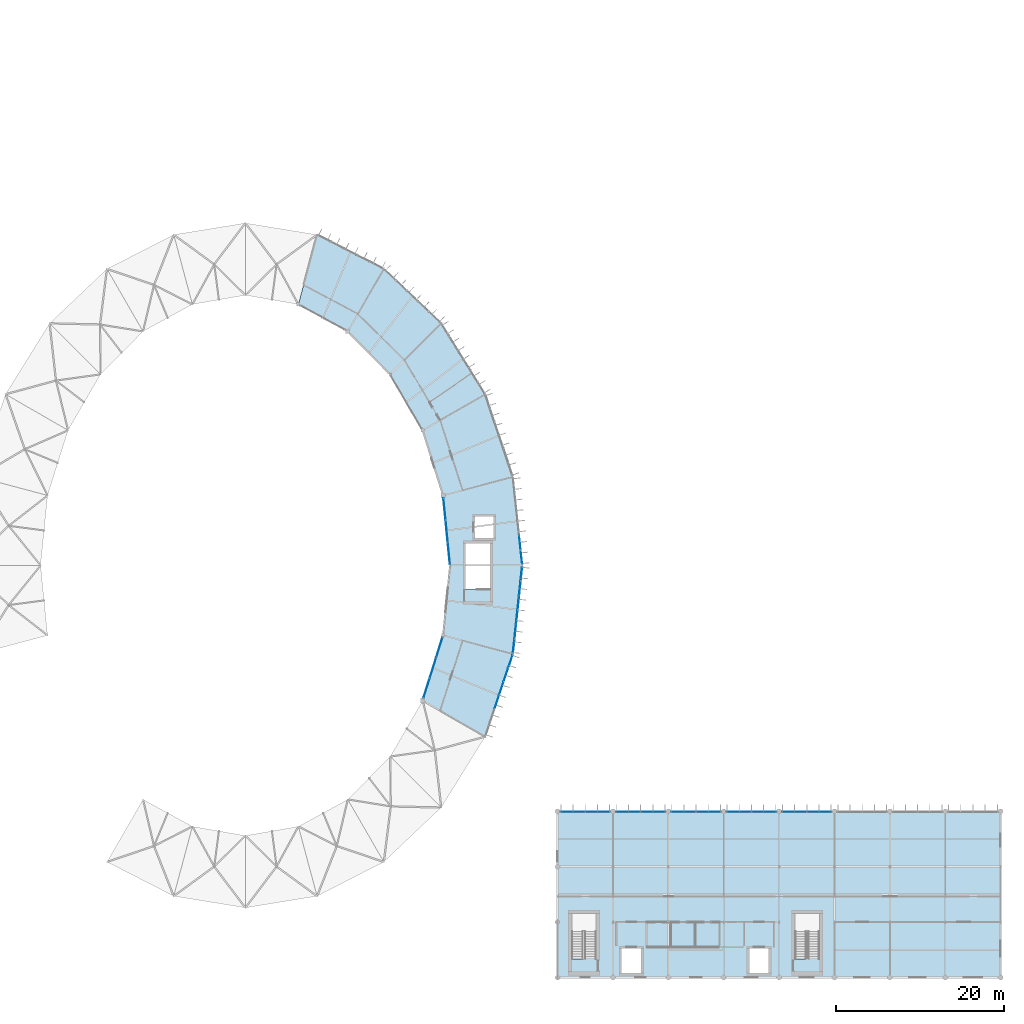
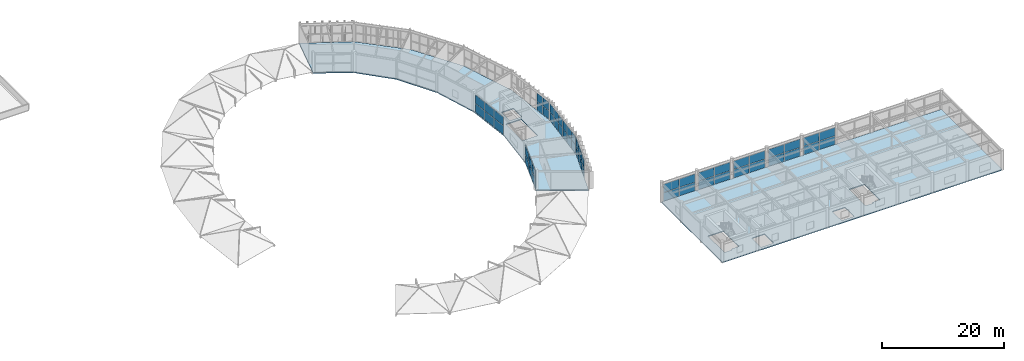
# One storey, part 46 of 66: 56 plates, 2 slabs, 10 elements without a shape of their own.
"""IFC4 building model written with IfcOpenShell, lengths in metres."""

from ifc_helpers import new_model, si_unit, direction, frame, origin, origin_2d, place, context, subcontext, project, spatial, polyline, rectangle, outline, extrude, material, layer, layer_set, type_object, element, aggregate, save


model = new_model("IFC4")

# Units and contexts
model_context = context("Model", 3, precision=1e-05, world=origin(), true_north=direction((0.0, 1.0)))
body_context = subcontext(model_context, "Body", "Model", "MODEL_VIEW")
ifc_project = project(units=[si_unit("LENGTHUNIT", "METRE"), si_unit("AREAUNIT", "SQUARE_METRE"), si_unit("VOLUMEUNIT", "CUBIC_METRE"), si_unit("PLANEANGLEUNIT", "RADIAN"), si_unit("MASSUNIT", "GRAM", prefix="KILO")], contexts=[model_context])

# Site, building, storey
site_placement = place(None, origin())
site = spatial("IfcSite", under=ifc_project, at=site_placement, CompositionType="ELEMENT")
building_placement = place(site_placement, origin())
building = spatial("IfcBuilding", under=site, at=building_placement, Name="Karori Crest Natural Sciences Institute", CompositionType="ELEMENT")
storey_placement = place(building_placement, frame((0.0, 0.0, 30.10009765625)))
storey = spatial("IfcBuildingStorey", under=building, at=storey_placement, Name="L07", CompositionType="ELEMENT", Elevation=30.10009765625)

# Curtain wall, plates
ifc_material_1 = material(Name="Anodised architectural aluminium 6063-T6", Category="aluminium")
curtain_wall_type_1 = type_object("IfcCurtainWallType", Name="CWT-13", PredefinedType="NOTDEFINED", material=ifc_material_1)
curtain_wall_1_placement = place(storey_placement, origin())
curtain_wall_1 = element("IfcCurtainWall", 1, at=curtain_wall_1_placement, inside=storey, type_object=curtain_wall_type_1, Name="Curtain wall CW-0241", PredefinedType="NOTDEFINED")
ifc_material_2 = material(Name="Double low-E laminated glass", Category="glass")
ifc_layer_1 = layer(ifc_material_2, 0.02392578125, Name="Double low-E laminated glass")
ifc_layer_set_1 = layer_set([ifc_layer_1], Name="Double low-E laminated glass")
plate_type_1 = type_object("IfcPlateType", Name="CWP-01", PredefinedType="CURTAIN_PANEL", material=ifc_layer_set_1)
plate_1_placement = place(storey_placement, frame((88.003173828125, 35.304443359375, 0.059814453125), z_axis=(0.0, 0.0, 1.0), x_axis=(0.299475254154, 0.954104067778, 0.0)))
plate_1 = element("IfcPlate", 2, at=plate_1_placement, type_object=plate_type_1, Name="CW-0241 panel 1.1", PredefinedType="CURTAIN_PANEL", context=body_context, shape_type="SweptSolid", body=[
    extrude(rectangle(XDim=2.451171875, YDim=0.02392578125, at=origin_2d()), origin(), (0.0, 0.0, 1.0), 1.7099609375),
])
plate_2_placement = place(storey_placement, frame((88.003173828125, 35.304443359375, 1.829833984375), z_axis=(0.0, 0.0, 1.0), x_axis=(0.299475254154, 0.954104067778, 0.0)))
plate_2 = element("IfcPlate", 3, at=plate_2_placement, type_object=plate_type_1, Name="CW-0241 panel 1.2", PredefinedType="CURTAIN_PANEL", context=body_context, shape_type="SweptSolid", body=[
    extrude(rectangle(XDim=2.451171875, YDim=0.02392578125, at=origin_2d()), origin(), (0.0, 0.0, 1.0), 1.7099609375),
])
plate_3_placement = place(storey_placement, frame((88.761474609375, 37.720458984375, 0.059814453125), z_axis=(0.0, 0.0, 1.0), x_axis=(0.299475254154, 0.954104067778, 0.0)))
plate_3 = element("IfcPlate", 4, at=plate_3_placement, type_object=plate_type_1, Name="CW-0241 panel 2.1", PredefinedType="CURTAIN_PANEL", context=body_context, shape_type="SweptSolid", body=[
    extrude(rectangle(XDim=2.483642578125, YDim=0.02392578125, at=origin_2d()), origin(), (0.0, 0.0, 1.0), 1.7099609375),
])
plate_4_placement = place(storey_placement, frame((88.761474609375, 37.720458984375, 1.829833984375), z_axis=(0.0, 0.0, 1.0), x_axis=(0.299475254154, 0.954104067778, 0.0)))
plate_4 = element("IfcPlate", 5, at=plate_4_placement, type_object=plate_type_1, Name="CW-0241 panel 2.2", PredefinedType="CURTAIN_PANEL", context=body_context, shape_type="SweptSolid", body=[
    extrude(rectangle(XDim=2.483642578125, YDim=0.02392578125, at=origin_2d()), origin(), (0.0, 0.0, 1.0), 1.7099609375),
])
plate_5_placement = place(storey_placement, frame((89.52001953125, 40.136474609375, 0.059814453125), z_axis=(0.0, 0.0, 1.0), x_axis=(0.299475254154, 0.954104067778, 0.0)))
plate_5 = element("IfcPlate", 6, at=plate_5_placement, type_object=plate_type_1, Name="CW-0241 panel 3.1", PredefinedType="CURTAIN_PANEL", context=body_context, shape_type="SweptSolid", body=[
    extrude(rectangle(XDim=2.451171875, YDim=0.02392578125, at=origin_2d()), origin(), (0.0, 0.0, 1.0), 1.7099609375),
])
plate_6_placement = place(storey_placement, frame((89.52001953125, 40.136474609375, 1.829833984375), z_axis=(0.0, 0.0, 1.0), x_axis=(0.299475254154, 0.954104067778, 0.0)))
plate_6 = element("IfcPlate", 7, at=plate_6_placement, type_object=plate_type_1, Name="CW-0241 panel 3.2", PredefinedType="CURTAIN_PANEL", context=body_context, shape_type="SweptSolid", body=[
    extrude(rectangle(XDim=2.451171875, YDim=0.02392578125, at=origin_2d()), origin(), (0.0, 0.0, 1.0), 1.7099609375),
])
aggregate(curtain_wall_1, [plate_1, plate_2, plate_3, plate_4, plate_5, plate_6])

curtain_wall_type_2 = type_object("IfcCurtainWallType", Name="CWT-01", PredefinedType="NOTDEFINED", material=ifc_material_1)
curtain_wall_2_placement = place(storey_placement, origin())
curtain_wall_2 = element("IfcCurtainWall", 8, at=curtain_wall_2_placement, inside=storey, type_object=curtain_wall_type_2, Name="Curtain wall CW-0243", PredefinedType="NOTDEFINED")
plate_7_placement = place(storey_placement, frame((99.112060546875, 52.604736328125, 0.06494140625), z_axis=(0.0, 0.0, 1.0), x_axis=(0.105884496939, -0.994378435661, 0.0)))
plate_7 = element("IfcPlate", 9, at=plate_7_placement, type_object=plate_type_1, Name="CW-0243 panel 5.1", PredefinedType="CURTAIN_PANEL", context=body_context, shape_type="SweptSolid", body=[
    extrude(rectangle(XDim=1.66259765625, YDim=0.02392578125, at=origin_2d()), origin(), (0.0, 0.0, 1.0), 1.6650390625),
])
plate_8_placement = place(storey_placement, frame((99.112060546875, 52.604736328125, 1.794921875), z_axis=(0.0, 0.0, 1.0), x_axis=(0.105884496939, -0.994378435661, 0.0)))
plate_8 = element("IfcPlate", 10, at=plate_8_placement, type_object=plate_type_1, Name="CW-0243 panel 5.2", PredefinedType="CURTAIN_PANEL", context=body_context, shape_type="SweptSolid", body=[
    extrude(rectangle(XDim=1.66259765625, YDim=0.02392578125, at=origin_2d()), origin(), (0.0, 0.0, 1.0), 1.6650390625),
])
plate_9_placement = place(storey_placement, frame((99.293212890625, 50.903076171875, 0.06494140625), z_axis=(0.0, 0.0, 1.0), x_axis=(0.105884496939, -0.994378435661, 0.0)))
plate_9 = element("IfcPlate", 11, at=plate_9_placement, type_object=plate_type_1, Name="CW-0243 panel 6.1", PredefinedType="CURTAIN_PANEL", context=body_context, shape_type="SweptSolid", body=[
    extrude(rectangle(XDim=1.630126953125, YDim=0.02392578125, at=origin_2d()), origin(), (0.0, 0.0, 1.0), 1.6650390625),
])
plate_10_placement = place(storey_placement, frame((99.293212890625, 50.903076171875, 1.794921875), z_axis=(0.0, 0.0, 1.0), x_axis=(0.105884496939, -0.994378435661, 0.0)))
plate_10 = element("IfcPlate", 12, at=plate_10_placement, type_object=plate_type_1, Name="CW-0243 panel 6.2", PredefinedType="CURTAIN_PANEL", context=body_context, shape_type="SweptSolid", body=[
    extrude(rectangle(XDim=1.630126953125, YDim=0.02392578125, at=origin_2d()), origin(), (0.0, 0.0, 1.0), 1.6650390625),
])
aggregate(curtain_wall_2, [plate_7, plate_8, plate_9, plate_10])

curtain_wall_type_3 = type_object("IfcCurtainWallType", Name="CWT-11", PredefinedType="NOTDEFINED", material=ifc_material_1)
curtain_wall_3_placement = place(storey_placement, origin())
curtain_wall_3 = element("IfcCurtainWall", 13, at=curtain_wall_3_placement, inside=storey, type_object=curtain_wall_type_3, Name="Curtain wall CW-0244", PredefinedType="NOTDEFINED")
plate_11_placement = place(storey_placement, frame((90.65576171875, 51.345458984375, 0.059814453125), z_axis=(0.0, 0.0, 1.0), x_axis=(-0.099268494275, 0.995060684604, 0.0)))
plate_11 = element("IfcPlate", 14, at=plate_11_placement, type_object=plate_type_1, Name="CW-0244 panel 1.1", PredefinedType="CURTAIN_PANEL", context=body_context, shape_type="SweptSolid", body=[
    extrude(rectangle(XDim=2.568359375, YDim=0.02392578125, at=origin_2d()), origin(), (0.0, 0.0, 1.0), 1.7099609375),
])
plate_12_placement = place(storey_placement, frame((90.65576171875, 51.345458984375, 1.829833984375), z_axis=(0.0, 0.0, 1.0), x_axis=(-0.099268494275, 0.995060684604, 0.0)))
plate_12 = element("IfcPlate", 15, at=plate_12_placement, type_object=plate_type_1, Name="CW-0244 panel 1.2", PredefinedType="CURTAIN_PANEL", context=body_context, shape_type="SweptSolid", body=[
    extrude(rectangle(XDim=2.568359375, YDim=0.02392578125, at=origin_2d()), origin(), (0.0, 0.0, 1.0), 1.7099609375),
])
plate_13_placement = place(storey_placement, frame((90.392822265625, 53.98193359375, 0.059814453125), z_axis=(0.0, 0.0, 1.0), x_axis=(-0.099268494275, 0.995060684604, 0.0)))
plate_13 = element("IfcPlate", 16, at=plate_13_placement, type_object=plate_type_1, Name="CW-0244 panel 2.1", PredefinedType="CURTAIN_PANEL", context=body_context, shape_type="SweptSolid", body=[
    extrude(rectangle(XDim=2.600830078125, YDim=0.02392578125, at=origin_2d()), origin(), (0.0, 0.0, 1.0), 1.7099609375),
])
plate_14_placement = place(storey_placement, frame((90.392822265625, 53.98193359375, 1.829833984375), z_axis=(0.0, 0.0, 1.0), x_axis=(-0.099268494275, 0.995060684604, 0.0)))
plate_14 = element("IfcPlate", 17, at=plate_14_placement, type_object=plate_type_1, Name="CW-0244 panel 2.2", PredefinedType="CURTAIN_PANEL", context=body_context, shape_type="SweptSolid", body=[
    extrude(rectangle(XDim=2.600830078125, YDim=0.02392578125, at=origin_2d()), origin(), (0.0, 0.0, 1.0), 1.7099609375),
])
plate_15_placement = place(storey_placement, frame((90.129638671875, 56.618408203125, 0.059814453125), z_axis=(0.0, 0.0, 1.0), x_axis=(-0.099268494275, 0.995060684604, 0.0)))
plate_15 = element("IfcPlate", 18, at=plate_15_placement, type_object=plate_type_1, Name="CW-0244 panel 3.1", PredefinedType="CURTAIN_PANEL", context=body_context, shape_type="SweptSolid", body=[
    extrude(rectangle(XDim=2.568359375, YDim=0.02392578125, at=origin_2d()), origin(), (0.0, 0.0, 1.0), 1.7099609375),
])
plate_16_placement = place(storey_placement, frame((90.129638671875, 56.618408203125, 1.829833984375), z_axis=(0.0, 0.0, 1.0), x_axis=(-0.099268494275, 0.995060684604, 0.0)))
plate_16 = element("IfcPlate", 19, at=plate_16_placement, type_object=plate_type_1, Name="CW-0244 panel 3.2", PredefinedType="CURTAIN_PANEL", context=body_context, shape_type="SweptSolid", body=[
    extrude(rectangle(XDim=2.568359375, YDim=0.02392578125, at=origin_2d()), origin(), (0.0, 0.0, 1.0), 1.7099609375),
])
aggregate(curtain_wall_3, [plate_11, plate_12, plate_13, plate_14, plate_15, plate_16])

curtain_wall_type_4 = type_object("IfcCurtainWallType", Name="CWT-20", PredefinedType="NOTDEFINED", material=ifc_material_1)
curtain_wall_4_placement = place(storey_placement, origin())
curtain_wall_4 = element("IfcCurtainWall", 20, at=curtain_wall_4_placement, inside=storey, type_object=curtain_wall_type_4, Name="Curtain wall CW-0357", PredefinedType="NOTDEFINED")
plate_17_placement = place(storey_placement, frame((105.415283203125, 20.5400390625, 0.059814453125), z_axis=(0.0, 0.0, 1.0), x_axis=(1.0, 0.0, 0.0)))
plate_17 = element("IfcPlate", 21, at=plate_17_placement, type_object=plate_type_1, Name="CW-0357 panel 1.1", PredefinedType="CURTAIN_PANEL", context=body_context, shape_type="SweptSolid", body=[
    extrude(rectangle(XDim=2.904541015625, YDim=0.02392578125, at=origin_2d()), origin(), (0.0, 0.0, 1.0), 1.66259765625),
])
plate_18_placement = place(storey_placement, frame((105.415283203125, 20.5400390625, 1.782470703125), z_axis=(0.0, 0.0, 1.0), x_axis=(1.0, 0.0, 0.0)))
plate_18 = element("IfcPlate", 22, at=plate_18_placement, type_object=plate_type_1, Name="CW-0357 panel 1.2", PredefinedType="CURTAIN_PANEL", context=body_context, shape_type="SweptSolid", body=[
    extrude(rectangle(XDim=2.904541015625, YDim=0.02392578125, at=origin_2d()), origin(), (0.0, 0.0, 1.0), 1.66259765625),
])
plate_19_placement = place(storey_placement, frame((108.384765625, 20.5400390625, 0.059814453125), z_axis=(0.0, 0.0, 1.0), x_axis=(1.0, 0.0, 0.0)))
plate_19 = element("IfcPlate", 23, at=plate_19_placement, type_object=plate_type_1, Name="CW-0357 panel 2.1", PredefinedType="CURTAIN_PANEL", context=body_context, shape_type="SweptSolid", body=[
    extrude(rectangle(XDim=2.904541015625, YDim=0.02392578125, at=origin_2d()), origin(), (0.0, 0.0, 1.0), 1.66259765625),
])
plate_20_placement = place(storey_placement, frame((108.384765625, 20.5400390625, 1.782470703125), z_axis=(0.0, 0.0, 1.0), x_axis=(1.0, 0.0, 0.0)))
plate_20 = element("IfcPlate", 24, at=plate_20_placement, type_object=plate_type_1, Name="CW-0357 panel 2.2", PredefinedType="CURTAIN_PANEL", context=body_context, shape_type="SweptSolid", body=[
    extrude(rectangle(XDim=2.904541015625, YDim=0.02392578125, at=origin_2d()), origin(), (0.0, 0.0, 1.0), 1.66259765625),
])
aggregate(curtain_wall_4, [plate_17, plate_18, plate_19, plate_20])

curtain_wall_5_placement = place(storey_placement, origin())
curtain_wall_5 = element("IfcCurtainWall", 25, at=curtain_wall_5_placement, inside=storey, type_object=curtain_wall_type_4, Name="Curtain wall CW-0358", PredefinedType="NOTDEFINED")
plate_21_placement = place(storey_placement, frame((112.01513671875, 20.5400390625, 0.059814453125), z_axis=(0.0, 0.0, 1.0), x_axis=(1.0, 0.0, 0.0)))
plate_21 = element("IfcPlate", 26, at=plate_21_placement, type_object=plate_type_1, Name="CW-0358 panel 1.1", PredefinedType="CURTAIN_PANEL", context=body_context, shape_type="SweptSolid", body=[
    extrude(rectangle(XDim=2.904541015625, YDim=0.02392578125, at=origin_2d()), origin(), (0.0, 0.0, 1.0), 1.66259765625),
])
plate_22_placement = place(storey_placement, frame((112.01513671875, 20.5400390625, 1.782470703125), z_axis=(0.0, 0.0, 1.0), x_axis=(1.0, 0.0, 0.0)))
plate_22 = element("IfcPlate", 27, at=plate_22_placement, type_object=plate_type_1, Name="CW-0358 panel 1.2", PredefinedType="CURTAIN_PANEL", context=body_context, shape_type="SweptSolid", body=[
    extrude(rectangle(XDim=2.904541015625, YDim=0.02392578125, at=origin_2d()), origin(), (0.0, 0.0, 1.0), 1.66259765625),
])
plate_23_placement = place(storey_placement, frame((114.98486328125, 20.5400390625, 0.059814453125), z_axis=(0.0, 0.0, 1.0), x_axis=(1.0, 0.0, 0.0)))
plate_23 = element("IfcPlate", 28, at=plate_23_placement, type_object=plate_type_1, Name="CW-0358 panel 2.1", PredefinedType="CURTAIN_PANEL", context=body_context, shape_type="SweptSolid", body=[
    extrude(rectangle(XDim=2.904541015625, YDim=0.02392578125, at=origin_2d()), origin(), (0.0, 0.0, 1.0), 1.66259765625),
])
plate_24_placement = place(storey_placement, frame((114.98486328125, 20.5400390625, 1.782470703125), z_axis=(0.0, 0.0, 1.0), x_axis=(1.0, 0.0, 0.0)))
plate_24 = element("IfcPlate", 29, at=plate_24_placement, type_object=plate_type_1, Name="CW-0358 panel 2.2", PredefinedType="CURTAIN_PANEL", context=body_context, shape_type="SweptSolid", body=[
    extrude(rectangle(XDim=2.904541015625, YDim=0.02392578125, at=origin_2d()), origin(), (0.0, 0.0, 1.0), 1.66259765625),
])
aggregate(curtain_wall_5, [plate_21, plate_22, plate_23, plate_24])

curtain_wall_6_placement = place(storey_placement, origin())
curtain_wall_6 = element("IfcCurtainWall", 30, at=curtain_wall_6_placement, inside=storey, type_object=curtain_wall_type_4, Name="Curtain wall CW-0359", PredefinedType="NOTDEFINED")
plate_25_placement = place(storey_placement, frame((118.615234375, 20.5400390625, 0.059814453125), z_axis=(0.0, 0.0, 1.0), x_axis=(1.0, 0.0, 0.0)))
plate_25 = element("IfcPlate", 31, at=plate_25_placement, type_object=plate_type_1, Name="CW-0359 panel 1.1", PredefinedType="CURTAIN_PANEL", context=body_context, shape_type="SweptSolid", body=[
    extrude(rectangle(XDim=2.904541015625, YDim=0.02392578125, at=origin_2d()), origin(), (0.0, 0.0, 1.0), 1.66259765625),
])
plate_26_placement = place(storey_placement, frame((118.615234375, 20.5400390625, 1.782470703125), z_axis=(0.0, 0.0, 1.0), x_axis=(1.0, 0.0, 0.0)))
plate_26 = element("IfcPlate", 32, at=plate_26_placement, type_object=plate_type_1, Name="CW-0359 panel 1.2", PredefinedType="CURTAIN_PANEL", context=body_context, shape_type="SweptSolid", body=[
    extrude(rectangle(XDim=2.904541015625, YDim=0.02392578125, at=origin_2d()), origin(), (0.0, 0.0, 1.0), 1.66259765625),
])
plate_27_placement = place(storey_placement, frame((121.584716796875, 20.5400390625, 0.059814453125), z_axis=(0.0, 0.0, 1.0), x_axis=(1.0, 0.0, 0.0)))
plate_27 = element("IfcPlate", 33, at=plate_27_placement, type_object=plate_type_1, Name="CW-0359 panel 2.1", PredefinedType="CURTAIN_PANEL", context=body_context, shape_type="SweptSolid", body=[
    extrude(rectangle(XDim=2.904541015625, YDim=0.02392578125, at=origin_2d()), origin(), (0.0, 0.0, 1.0), 1.66259765625),
])
plate_28_placement = place(storey_placement, frame((121.584716796875, 20.5400390625, 1.782470703125), z_axis=(0.0, 0.0, 1.0), x_axis=(1.0, 0.0, 0.0)))
plate_28 = element("IfcPlate", 34, at=plate_28_placement, type_object=plate_type_1, Name="CW-0359 panel 2.2", PredefinedType="CURTAIN_PANEL", context=body_context, shape_type="SweptSolid", body=[
    extrude(rectangle(XDim=2.904541015625, YDim=0.02392578125, at=origin_2d()), origin(), (0.0, 0.0, 1.0), 1.66259765625),
])
aggregate(curtain_wall_6, [plate_25, plate_26, plate_27, plate_28])

curtain_wall_7_placement = place(storey_placement, origin())
curtain_wall_7 = element("IfcCurtainWall", 35, at=curtain_wall_7_placement, inside=storey, type_object=curtain_wall_type_4, Name="Curtain wall CW-0360", PredefinedType="NOTDEFINED")
plate_29_placement = place(storey_placement, frame((125.21533203125, 20.5400390625, 0.059814453125), z_axis=(0.0, 0.0, 1.0), x_axis=(1.0, 0.0, 0.0)))
plate_29 = element("IfcPlate", 36, at=plate_29_placement, type_object=plate_type_1, Name="CW-0360 panel 1.1", PredefinedType="CURTAIN_PANEL", context=body_context, shape_type="SweptSolid", body=[
    extrude(rectangle(XDim=2.904541015625, YDim=0.02392578125, at=origin_2d()), origin(), (0.0, 0.0, 1.0), 1.66259765625),
])
plate_30_placement = place(storey_placement, frame((125.21533203125, 20.5400390625, 1.782470703125), z_axis=(0.0, 0.0, 1.0), x_axis=(1.0, 0.0, 0.0)))
plate_30 = element("IfcPlate", 37, at=plate_30_placement, type_object=plate_type_1, Name="CW-0360 panel 1.2", PredefinedType="CURTAIN_PANEL", context=body_context, shape_type="SweptSolid", body=[
    extrude(rectangle(XDim=2.904541015625, YDim=0.02392578125, at=origin_2d()), origin(), (0.0, 0.0, 1.0), 1.66259765625),
])
plate_31_placement = place(storey_placement, frame((128.184814453125, 20.5400390625, 0.059814453125), z_axis=(0.0, 0.0, 1.0), x_axis=(1.0, 0.0, 0.0)))
plate_31 = element("IfcPlate", 38, at=plate_31_placement, type_object=plate_type_1, Name="CW-0360 panel 2.1", PredefinedType="CURTAIN_PANEL", context=body_context, shape_type="SweptSolid", body=[
    extrude(rectangle(XDim=2.904541015625, YDim=0.02392578125, at=origin_2d()), origin(), (0.0, 0.0, 1.0), 1.66259765625),
])
plate_32_placement = place(storey_placement, frame((128.184814453125, 20.5400390625, 1.782470703125), z_axis=(0.0, 0.0, 1.0), x_axis=(1.0, 0.0, 0.0)))
plate_32 = element("IfcPlate", 39, at=plate_32_placement, type_object=plate_type_1, Name="CW-0360 panel 2.2", PredefinedType="CURTAIN_PANEL", context=body_context, shape_type="SweptSolid", body=[
    extrude(rectangle(XDim=2.904541015625, YDim=0.02392578125, at=origin_2d()), origin(), (0.0, 0.0, 1.0), 1.66259765625),
])
aggregate(curtain_wall_7, [plate_29, plate_30, plate_31, plate_32])

curtain_wall_8_placement = place(storey_placement, origin())
curtain_wall_8 = element("IfcCurtainWall", 40, at=curtain_wall_8_placement, inside=storey, type_object=curtain_wall_type_4, Name="Curtain wall CW-0361", PredefinedType="NOTDEFINED")
plate_33_placement = place(storey_placement, frame((131.815185546875, 20.5400390625, 0.059814453125), z_axis=(0.0, 0.0, 1.0), x_axis=(1.0, 0.0, 0.0)))
plate_33 = element("IfcPlate", 41, at=plate_33_placement, type_object=plate_type_1, Name="CW-0361 panel 1.1", PredefinedType="CURTAIN_PANEL", context=body_context, shape_type="SweptSolid", body=[
    extrude(rectangle(XDim=2.904541015625, YDim=0.02392578125, at=origin_2d()), origin(), (0.0, 0.0, 1.0), 1.66259765625),
])
plate_34_placement = place(storey_placement, frame((131.815185546875, 20.5400390625, 1.782470703125), z_axis=(0.0, 0.0, 1.0), x_axis=(1.0, 0.0, 0.0)))
plate_34 = element("IfcPlate", 42, at=plate_34_placement, type_object=plate_type_1, Name="CW-0361 panel 1.2", PredefinedType="CURTAIN_PANEL", context=body_context, shape_type="SweptSolid", body=[
    extrude(rectangle(XDim=2.904541015625, YDim=0.02392578125, at=origin_2d()), origin(), (0.0, 0.0, 1.0), 1.66259765625),
])
plate_35_placement = place(storey_placement, frame((134.78466796875, 20.5400390625, 0.059814453125), z_axis=(0.0, 0.0, 1.0), x_axis=(1.0, 0.0, 0.0)))
plate_35 = element("IfcPlate", 43, at=plate_35_placement, type_object=plate_type_1, Name="CW-0361 panel 2.1", PredefinedType="CURTAIN_PANEL", context=body_context, shape_type="SweptSolid", body=[
    extrude(rectangle(XDim=2.904541015625, YDim=0.02392578125, at=origin_2d()), origin(), (0.0, 0.0, 1.0), 1.66259765625),
])
plate_36_placement = place(storey_placement, frame((134.78466796875, 20.5400390625, 1.782470703125), z_axis=(0.0, 0.0, 1.0), x_axis=(1.0, 0.0, 0.0)))
plate_36 = element("IfcPlate", 44, at=plate_36_placement, type_object=plate_type_1, Name="CW-0361 panel 2.2", PredefinedType="CURTAIN_PANEL", context=body_context, shape_type="SweptSolid", body=[
    extrude(rectangle(XDim=2.904541015625, YDim=0.02392578125, at=origin_2d()), origin(), (0.0, 0.0, 1.0), 1.66259765625),
])
aggregate(curtain_wall_8, [plate_33, plate_34, plate_35, plate_36])

curtain_wall_type_5 = type_object("IfcCurtainWallType", Name="CWT-03", PredefinedType="NOTDEFINED", material=ifc_material_1)
curtain_wall_9_placement = place(storey_placement, origin())
curtain_wall_9 = element("IfcCurtainWall", 45, at=curtain_wall_9_placement, inside=storey, type_object=curtain_wall_type_5, Name="Curtain wall CW-0240", PredefinedType="NOTDEFINED")
ifc_layer_2 = layer(ifc_material_2, 0.033935546875, Name="Double low-E laminated glass")
ifc_layer_set_2 = layer_set([ifc_layer_2], Name="Double low-E laminated glass")
plate_type_2 = type_object("IfcPlateType", Name="CWP-02", PredefinedType="CURTAIN_PANEL", material=ifc_layer_set_2)
plate_37_placement = place(storey_placement, frame((97.974853515625, 38.442626953125, 0.06494140625), z_axis=(0.0, 0.0, 1.0), x_axis=(-0.317679803392, -0.94819805026, 0.0)))
plate_37 = element("IfcPlate", 46, at=plate_37_placement, type_object=plate_type_2, Name="CW-0240 panel 1.1", PredefinedType="CURTAIN_PANEL", context=body_context, shape_type="SweptSolid", body=[
    extrude(rectangle(XDim=1.59619140625, YDim=0.033935546875, at=origin_2d()), origin(), (0.0, 0.0, 1.0), 1.6650390625),
])
plate_38_placement = place(storey_placement, frame((97.974853515625, 38.442626953125, 1.794921875), z_axis=(0.0, 0.0, 1.0), x_axis=(-0.317679803392, -0.94819805026, 0.0)))
plate_38 = element("IfcPlate", 47, at=plate_38_placement, type_object=plate_type_2, Name="CW-0240 panel 1.2", PredefinedType="CURTAIN_PANEL", context=body_context, shape_type="SweptSolid", body=[
    extrude(rectangle(XDim=1.59619140625, YDim=0.033935546875, at=origin_2d()), origin(), (0.0, 0.0, 1.0), 1.6650390625),
])
plate_39_placement = place(storey_placement, frame((97.44189453125, 36.85205078125, 0.06494140625), z_axis=(0.0, 0.0, 1.0), x_axis=(-0.317679803392, -0.94819805026, 0.0)))
plate_39 = element("IfcPlate", 48, at=plate_39_placement, type_object=plate_type_2, Name="CW-0240 panel 2.1", PredefinedType="CURTAIN_PANEL", context=body_context, shape_type="SweptSolid", body=[
    extrude(rectangle(XDim=1.628662109375, YDim=0.033935546875, at=origin_2d()), origin(), (0.0, 0.0, 1.0), 1.6650390625),
])
plate_40_placement = place(storey_placement, frame((97.44189453125, 36.85205078125, 1.794921875), z_axis=(0.0, 0.0, 1.0), x_axis=(-0.317679803392, -0.94819805026, 0.0)))
plate_40 = element("IfcPlate", 49, at=plate_40_placement, type_object=plate_type_2, Name="CW-0240 panel 2.2", PredefinedType="CURTAIN_PANEL", context=body_context, shape_type="SweptSolid", body=[
    extrude(rectangle(XDim=1.628662109375, YDim=0.033935546875, at=origin_2d()), origin(), (0.0, 0.0, 1.0), 1.6650390625),
])
plate_41_placement = place(storey_placement, frame((96.904052734375, 35.24609375, 0.06494140625), z_axis=(0.0, 0.0, 1.0), x_axis=(-0.317679803392, -0.94819805026, 0.0)))
plate_41 = element("IfcPlate", 50, at=plate_41_placement, type_object=plate_type_2, Name="CW-0240 panel 3.1", PredefinedType="CURTAIN_PANEL", context=body_context, shape_type="SweptSolid", body=[
    extrude(rectangle(XDim=1.628662109375, YDim=0.033935546875, at=origin_2d()), origin(), (0.0, 0.0, 1.0), 1.6650390625),
])
plate_42_placement = place(storey_placement, frame((96.904052734375, 35.24609375, 1.794921875), z_axis=(0.0, 0.0, 1.0), x_axis=(-0.317679803392, -0.94819805026, 0.0)))
plate_42 = element("IfcPlate", 51, at=plate_42_placement, type_object=plate_type_2, Name="CW-0240 panel 3.2", PredefinedType="CURTAIN_PANEL", context=body_context, shape_type="SweptSolid", body=[
    extrude(rectangle(XDim=1.628662109375, YDim=0.033935546875, at=origin_2d()), origin(), (0.0, 0.0, 1.0), 1.6650390625),
])
plate_43_placement = place(storey_placement, frame((96.365966796875, 33.64013671875, 0.06494140625), z_axis=(0.0, 0.0, 1.0), x_axis=(-0.317679803392, -0.94819805026, 0.0)))
plate_43 = element("IfcPlate", 52, at=plate_43_placement, type_object=plate_type_2, Name="CW-0240 panel 4.1", PredefinedType="CURTAIN_PANEL", context=body_context, shape_type="SweptSolid", body=[
    extrude(rectangle(XDim=1.628662109375, YDim=0.033935546875, at=origin_2d()), origin(), (0.0, 0.0, 1.0), 1.6650390625),
])
plate_44_placement = place(storey_placement, frame((96.365966796875, 33.64013671875, 1.794921875), z_axis=(0.0, 0.0, 1.0), x_axis=(-0.317679803392, -0.94819805026, 0.0)))
plate_44 = element("IfcPlate", 53, at=plate_44_placement, type_object=plate_type_2, Name="CW-0240 panel 4.2", PredefinedType="CURTAIN_PANEL", context=body_context, shape_type="SweptSolid", body=[
    extrude(rectangle(XDim=1.628662109375, YDim=0.033935546875, at=origin_2d()), origin(), (0.0, 0.0, 1.0), 1.6650390625),
])
aggregate(curtain_wall_9, [plate_37, plate_38, plate_39, plate_40, plate_41, plate_42, plate_43, plate_44])

curtain_wall_type_6 = type_object("IfcCurtainWallType", Name="CWT-04", PredefinedType="NOTDEFINED", material=ifc_material_1)
curtain_wall_10_placement = place(storey_placement, origin())
curtain_wall_10 = element("IfcCurtainWall", 54, at=curtain_wall_10_placement, inside=storey, type_object=curtain_wall_type_6, Name="Curtain wall CW-0242", PredefinedType="NOTDEFINED")
ifc_layer_3 = layer(ifc_material_2, 0.0439453125, Name="Double low-E laminated glass")
ifc_layer_set_3 = layer_set([ifc_layer_3], Name="Double low-E laminated glass")
plate_type_3 = type_object("IfcPlateType", Name="CWP-03", PredefinedType="CURTAIN_PANEL", material=ifc_layer_set_3)
plate_45_placement = place(storey_placement, frame((99.292724609375, 48.89306640625, 0.06005859375), z_axis=(0.0, 0.0, 1.0), x_axis=(-0.105885677057, -0.994378309998, 0.0)))
plate_45 = element("IfcPlate", 55, at=plate_45_placement, type_object=plate_type_3, Name="CW-0242 panel 1.1", PredefinedType="CURTAIN_PANEL", context=body_context, shape_type="SweptSolid", body=[
    extrude(rectangle(XDim=1.6376953125, YDim=0.0439453125, at=origin_2d()), origin(), (0.0, 0.0, 1.0), 1.672607421875),
])
plate_46_placement = place(storey_placement, frame((99.292724609375, 48.89306640625, 1.79248046875), z_axis=(0.0, 0.0, 1.0), x_axis=(-0.105885677057, -0.994378309998, 0.0)))
plate_46 = element("IfcPlate", 56, at=plate_46_placement, type_object=plate_type_3, Name="CW-0242 panel 1.2", PredefinedType="CURTAIN_PANEL", context=body_context, shape_type="SweptSolid", body=[
    extrude(rectangle(XDim=1.6376953125, YDim=0.0439453125, at=origin_2d()), origin(), (0.0, 0.0, 1.0), 1.672607421875),
])
plate_47_placement = place(storey_placement, frame((99.11083984375, 47.183837890625, 0.06005859375), z_axis=(0.0, 0.0, 1.0), x_axis=(-0.105885677057, -0.994378309998, 0.0)))
plate_47 = element("IfcPlate", 57, at=plate_47_placement, type_object=plate_type_3, Name="CW-0242 panel 2.1", PredefinedType="CURTAIN_PANEL", context=body_context, shape_type="SweptSolid", body=[
    extrude(rectangle(XDim=1.670166015625, YDim=0.0439453125, at=origin_2d()), origin(), (0.0, 0.0, 1.0), 1.672607421875),
])
plate_48_placement = place(storey_placement, frame((99.11083984375, 47.183837890625, 1.79248046875), z_axis=(0.0, 0.0, 1.0), x_axis=(-0.105885677057, -0.994378309998, 0.0)))
plate_48 = element("IfcPlate", 58, at=plate_48_placement, type_object=plate_type_3, Name="CW-0242 panel 2.2", PredefinedType="CURTAIN_PANEL", context=body_context, shape_type="SweptSolid", body=[
    extrude(rectangle(XDim=1.670166015625, YDim=0.0439453125, at=origin_2d()), origin(), (0.0, 0.0, 1.0), 1.672607421875),
])
plate_49_placement = place(storey_placement, frame((98.927001953125, 45.45849609375, 0.06005859375), z_axis=(0.0, 0.0, 1.0), x_axis=(-0.105885677057, -0.994378309998, 0.0)))
plate_49 = element("IfcPlate", 59, at=plate_49_placement, type_object=plate_type_3, Name="CW-0242 panel 3.1", PredefinedType="CURTAIN_PANEL", context=body_context, shape_type="SweptSolid", body=[
    extrude(rectangle(XDim=1.670166015625, YDim=0.0439453125, at=origin_2d()), origin(), (0.0, 0.0, 1.0), 1.672607421875),
])
plate_50_placement = place(storey_placement, frame((98.927001953125, 45.45849609375, 1.79248046875), z_axis=(0.0, 0.0, 1.0), x_axis=(-0.105885677057, -0.994378309998, 0.0)))
plate_50 = element("IfcPlate", 60, at=plate_50_placement, type_object=plate_type_3, Name="CW-0242 panel 3.2", PredefinedType="CURTAIN_PANEL", context=body_context, shape_type="SweptSolid", body=[
    extrude(rectangle(XDim=1.670166015625, YDim=0.0439453125, at=origin_2d()), origin(), (0.0, 0.0, 1.0), 1.672607421875),
])
plate_51_placement = place(storey_placement, frame((98.743408203125, 43.73291015625, 0.06005859375), z_axis=(0.0, 0.0, 1.0), x_axis=(-0.105885677057, -0.994378309998, 0.0)))
plate_51 = element("IfcPlate", 61, at=plate_51_placement, type_object=plate_type_3, Name="CW-0242 panel 4.1", PredefinedType="CURTAIN_PANEL", context=body_context, shape_type="SweptSolid", body=[
    extrude(rectangle(XDim=1.670166015625, YDim=0.0439453125, at=origin_2d()), origin(), (0.0, 0.0, 1.0), 1.672607421875),
])
plate_52_placement = place(storey_placement, frame((98.743408203125, 43.73291015625, 1.79248046875), z_axis=(0.0, 0.0, 1.0), x_axis=(-0.105885677057, -0.994378309998, 0.0)))
plate_52 = element("IfcPlate", 62, at=plate_52_placement, type_object=plate_type_3, Name="CW-0242 panel 4.2", PredefinedType="CURTAIN_PANEL", context=body_context, shape_type="SweptSolid", body=[
    extrude(rectangle(XDim=1.670166015625, YDim=0.0439453125, at=origin_2d()), origin(), (0.0, 0.0, 1.0), 1.672607421875),
])
plate_53_placement = place(storey_placement, frame((98.5595703125, 42.007568359375, 0.06005859375), z_axis=(0.0, 0.0, 1.0), x_axis=(-0.105885677057, -0.994378309998, 0.0)))
plate_53 = element("IfcPlate", 63, at=plate_53_placement, type_object=plate_type_3, Name="CW-0242 panel 5.1", PredefinedType="CURTAIN_PANEL", context=body_context, shape_type="SweptSolid", body=[
    extrude(rectangle(XDim=1.670166015625, YDim=0.0439453125, at=origin_2d()), origin(), (0.0, 0.0, 1.0), 1.672607421875),
])
plate_54_placement = place(storey_placement, frame((98.5595703125, 42.007568359375, 1.79248046875), z_axis=(0.0, 0.0, 1.0), x_axis=(-0.105885677057, -0.994378309998, 0.0)))
plate_54 = element("IfcPlate", 64, at=plate_54_placement, type_object=plate_type_3, Name="CW-0242 panel 5.2", PredefinedType="CURTAIN_PANEL", context=body_context, shape_type="SweptSolid", body=[
    extrude(rectangle(XDim=1.670166015625, YDim=0.0439453125, at=origin_2d()), origin(), (0.0, 0.0, 1.0), 1.672607421875),
])
plate_55_placement = place(storey_placement, frame((98.377685546875, 40.298095703125, 0.06005859375), z_axis=(0.0, 0.0, 1.0), x_axis=(-0.105885677057, -0.994378309998, 0.0)))
plate_55 = element("IfcPlate", 65, at=plate_55_placement, type_object=plate_type_3, Name="CW-0242 panel 6.1", PredefinedType="CURTAIN_PANEL", context=body_context, shape_type="SweptSolid", body=[
    extrude(rectangle(XDim=1.6376953125, YDim=0.0439453125, at=origin_2d()), origin(), (0.0, 0.0, 1.0), 1.672607421875),
])
plate_56_placement = place(storey_placement, frame((98.377685546875, 40.298095703125, 1.79248046875), z_axis=(0.0, 0.0, 1.0), x_axis=(-0.105885677057, -0.994378309998, 0.0)))
plate_56 = element("IfcPlate", 66, at=plate_56_placement, type_object=plate_type_3, Name="CW-0242 panel 6.2", PredefinedType="CURTAIN_PANEL", context=body_context, shape_type="SweptSolid", body=[
    extrude(rectangle(XDim=1.6376953125, YDim=0.0439453125, at=origin_2d()), origin(), (0.0, 0.0, 1.0), 1.672607421875),
])
aggregate(curtain_wall_10, [plate_45, plate_46, plate_47, plate_48, plate_49, plate_50, plate_51, plate_52, plate_53, plate_54, plate_55, plate_56])

# Slabs
ifc_material_3 = material(Name="Concrete 40 MPa", Category="concrete")
ifc_layer_4 = layer(ifc_material_3, 0.199951171875, Name="Concrete 40 MPa")
ifc_layer_set_4 = layer_set([ifc_layer_4], Name="Concrete 40 MPa")
slab_type_1 = type_object("IfcSlabType", Name="SLT-08", PredefinedType="FLOOR", material=ifc_layer_set_4)
slab_1_placement = place(storey_placement, frame((0.0, 0.0, -0.2001953125)))
element("IfcSlab", 67, at=slab_1_placement, inside=storey, type_object=slab_type_1, Name="V1 Slab SL-0009", PredefinedType="FLOOR", context=body_context, shape_type="SweptSolid", body=[
    extrude(outline(polyline([(94.978759765625, 29.5), (98.275634765625, 39.340087890625), (99.39990234375, 49.89990234375), (98.275634765625, 60.459716796875), (94.978759765625, 70.300048828125), (89.734619140625, 78.75), (82.89990234375, 85.23388671875), (74.94091796875, 89.309814453125), (72.715087890625, 81.002685546875), (78.60009765625, 77.785888671875), (83.6533203125, 72.668701171875), (87.531005859375, 66.0), (89.968505859375, 58.23388671875), (90.800048828125, 49.89990234375), (89.968505859375, 41.56591796875), (87.531005859375, 33.800048828125), (94.978759765625, 29.5)]), holes=[polyline([(95.550048828125, 47.1005859375), (92.64990234375, 47.1005859375), (92.64990234375, 52.5), (95.550048828125, 52.5), (95.550048828125, 47.1005859375)]), polyline([(93.72509765625, 55.77490234375), (95.97509765625, 55.77490234375), (95.97509765625, 53.02490234375), (93.72509765625, 53.02490234375), (93.72509765625, 55.77490234375)])]), origin(), (0.0, 0.0, 1.0), 0.2001953125),
])
ifc_layer_5 = layer(ifc_material_3, 0.179931640625, Name="Concrete 40 MPa")
ifc_layer_set_5 = layer_set([ifc_layer_5], Name="Concrete 40 MPa")
slab_type_2 = type_object("IfcSlabType", Name="SLT-09", PredefinedType="FLOOR", material=ifc_layer_set_5)
slab_2_placement = place(storey_placement, frame((0.0, 0.0, -0.18017578125)))
element("IfcSlab", 68, at=slab_2_placement, inside=storey, type_object=slab_type_2, Name="V5 Slab SL-0171", PredefinedType="FLOOR", context=body_context, shape_type="SweptSolid", body=[
    extrude(outline(polyline([(103.60009765625, 0.800048828125), (156.39990234375, 0.800048828125), (156.39990234375, 20.60009765625), (103.60009765625, 20.60009765625), (103.60009765625, 0.800048828125)]), holes=[polyline([(108.199951171875, 3.280029296875), (106.75, 3.280029296875), (106.75, 3.00048828125), (105.300048828125, 3.00048828125), (105.300048828125, 8.39990234375), (108.199951171875, 8.39990234375), (108.199951171875, 3.280029296875)]), polyline([(134.800048828125, 3.280029296875), (133.35009765625, 3.280029296875), (133.35009765625, 3.00048828125), (131.89990234375, 3.00048828125), (131.89990234375, 8.39990234375), (134.800048828125, 8.39990234375), (134.800048828125, 3.280029296875)]), polyline([(111.199951171875, 4.300048828125), (113.60009765625, 4.300048828125), (113.60009765625, 1.300048828125), (111.199951171875, 1.300048828125), (111.199951171875, 4.300048828125)]), polyline([(126.39990234375, 4.300048828125), (128.800048828125, 4.300048828125), (128.800048828125, 1.300048828125), (126.39990234375, 1.300048828125), (126.39990234375, 4.300048828125)])]), origin(), (0.0, 0.0, 1.0), 0.18017578125),
])

save(model, "model.ifc")
